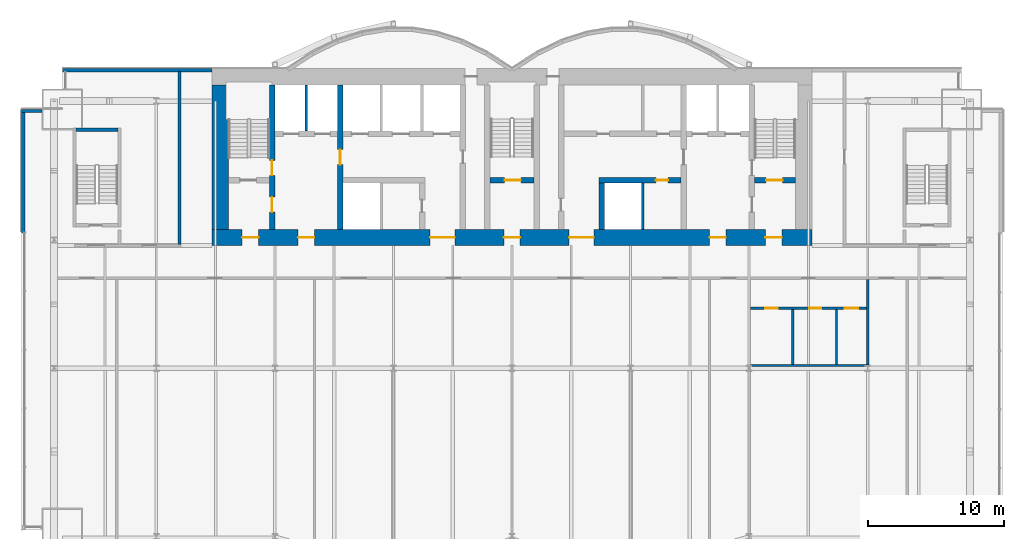
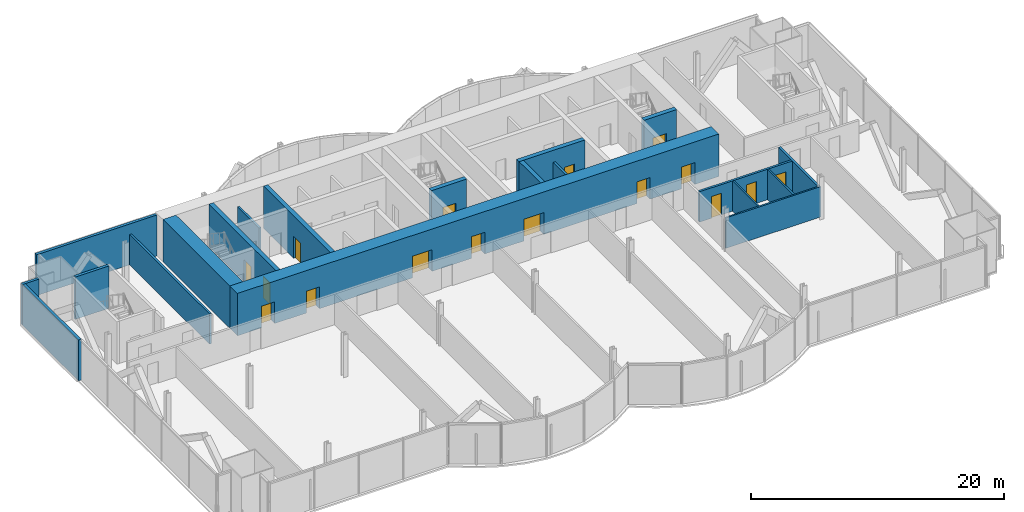
# One storey, part 16 of 21: 20 walls, 16 doors, 16 openings.
"""IFC4 building model written with IfcOpenShell, lengths in metres."""

from ifc_helpers import new_model, si_unit, direction, frame, frame_2d, origin, place, context, subcontext, project, spatial, rectangle, extrude, material, layer, layer_set, layer_usage, type_object, element, fill, save


model = new_model("IFC4")

# Units and contexts
model_context = context("Model", 3, precision=1e-05, world=origin(), true_north=direction((0.0, 1.0)))
body_context = subcontext(model_context, "Body", "Model", "MODEL_VIEW")
ifc_project = project(units=[si_unit("LENGTHUNIT", "METRE"), si_unit("AREAUNIT", "SQUARE_METRE"), si_unit("VOLUMEUNIT", "CUBIC_METRE"), si_unit("PLANEANGLEUNIT", "RADIAN"), si_unit("MASSUNIT", "GRAM", prefix="KILO")], contexts=[model_context])

# Site, building, storey
site_placement = place(None, origin())
site = spatial("IfcSite", under=ifc_project, at=site_placement, CompositionType="ELEMENT")
building_placement = place(site_placement, origin())
building = spatial("IfcBuilding", under=site, at=building_placement, Name="Bicima Exchange Tower", CompositionType="ELEMENT")
storey_placement = place(building_placement, frame((0.0, 0.0, 126.800048828125)))
storey = spatial("IfcBuildingStorey", under=building, at=storey_placement, Name="L27", CompositionType="ELEMENT", Elevation=126.800048828125)

# Walls
ifc_material_1 = material(Name="Gypsum board partition")
ifc_layer_1 = layer(ifc_material_1, 0.199951171875)
ifc_layer_set_1 = layer_set([ifc_layer_1], Name="Gypsum board partition")
wall_type_1 = type_object("IfcWallType", Name="Fire-rated gypsum partition 200 EI120", PredefinedType="PARTITIONING", material=ifc_layer_set_1)
for number, where, z_axis, x_axis, name in (
    (1, (-15.10009765625, -4.60009765625, 0.0), (0.0, 0.0, 1.0), (0.0, 1.0, 0.0), "partition wall 9"),
    (2, (9.60009765625, -11.800048828125, 0.0), (0.0, 0.0, 1.0), (0.0, 1.0, 0.0), "partition wall 20"),
):
    element("IfcWall", number, at=place(storey_placement, frame(where, z_axis=z_axis, x_axis=x_axis)), inside=storey, type_object=wall_type_1, Name=name, PredefinedType="PARTITIONING", context=body_context, shape_type="SweptSolid", body=[
        extrude(rectangle(XDim=3.400146484375, YDim=0.199951171875, at=frame_2d((1.7001953125, 0.0))), origin(), (0.0, 0.0, 1.0), 2.939453125),
    ])

# Wall, openings, doors
ifc_layer_2 = layer(ifc_material_1, 0.199951171875)
ifc_layer_set_2 = layer_set([ifc_layer_2], Name="Gypsum board partition")
wall_type_2 = type_object("IfcWallType", Name="Fire-rated gypsum partition 200 EI60", PredefinedType="PARTITIONING", material=ifc_layer_set_2)
wall_1_placement = place(storey_placement, frame((17.5, -17.60009765625, 0.0), z_axis=(0.0, 0.0, 1.0), x_axis=(1.0, 0.0, 0.0)))
wall_1 = element("IfcWall", 3, at=wall_1_placement, inside=storey, type_object=wall_type_2, Name="partition wall 2", PredefinedType="PARTITIONING", context=body_context, shape_type="SweptSolid", body=[
    extrude(rectangle(XDim=8.5, YDim=0.199951171875, at=frame_2d((4.25, 0.0))), origin(), (0.0, 0.0, 1.0), 2.939453125),
])
opening_1_placement = place(wall_1_placement, frame((1.10009765625, 0.0, 0.0)))
opening_1 = element("IfcOpeningElement", 4, at=opening_1_placement, cuts=wall_1, Name="Opening L27-015", PredefinedType="OPENING", context=body_context, shape_type="SweptSolid", body=[
    extrude(rectangle(XDim=0.89990234375, YDim=2.10009765625, at=frame_2d((0.449951171875, 1.050048828125))), frame((0.0, 0.11181640625, 0.0), z_axis=(0.0, -1.0, 0.0), x_axis=(1.0, 0.0, 0.0)), (0.0, 0.0, 1.0), 0.223876953125),
])
opening_2_placement = place(wall_1_placement, frame((4.300048828125, 0.0, 0.0)))
opening_2 = element("IfcOpeningElement", 5, at=opening_2_placement, cuts=wall_1, Name="Opening L27-016", PredefinedType="OPENING", context=body_context, shape_type="SweptSolid", body=[
    extrude(rectangle(XDim=0.89990234375, YDim=2.10009765625, at=frame_2d((0.449951171875, 1.050048828125))), frame((0.0, 0.11181640625, 0.0), z_axis=(0.0, -1.0, 0.0), x_axis=(1.0, 0.0, 0.0)), (0.0, 0.0, 1.0), 0.223876953125),
])
opening_3_placement = place(wall_1_placement, frame((6.89990234375, 0.0, 0.0)))
opening_3 = element("IfcOpeningElement", 6, at=opening_3_placement, cuts=wall_1, Name="Opening L27-017", PredefinedType="OPENING", context=body_context, shape_type="SweptSolid", body=[
    extrude(rectangle(XDim=1.0, YDim=2.10009765625, at=frame_2d((0.5, 1.050048828125))), frame((0.0, 0.11181640625, 0.0), z_axis=(0.0, -1.0, 0.0), x_axis=(1.0, 0.0, 0.0)), (0.0, 0.0, 1.0), 0.223876953125),
])
ifc_material_2 = material(Name="Steel fire door leaf", Category="steel")
door_type_1 = type_object("IfcDoorType", Name="Door 1000 swing FD30S", OperationType="SINGLE_SWING_LEFT", PredefinedType="DOOR", material=ifc_material_2)
door_1_placement = place(opening_3_placement, frame((1.0, 0.0, 0.0), z_axis=(0.0, 0.0, 1.0), x_axis=(-1.0, 0.0, 0.0)))
door_1 = element("IfcDoor", 7, at=door_1_placement, inside=storey, type_object=door_type_1, Name="Door", OperationType="SINGLE_SWING_RIGHT", OverallHeight=2.10009765625, OverallWidth=1.0, PredefinedType="DOOR", context=body_context, shape_type="SweptSolid", body=[
    extrude(rectangle(XDim=1.0, YDim=2.10009765625, at=frame_2d((0.5, 1.050048828125))), frame((0.0, 0.02490234375, 0.0), z_axis=(0.0, -1.0, 0.0), x_axis=(1.0, 0.0, 0.0)), (0.0, 0.0, 1.0), 0.050048828125),
])
fill(opening_3, door_1)
door_type_2 = type_object("IfcDoorType", Name="Door 900 swing FD30S", OperationType="SINGLE_SWING_LEFT", PredefinedType="DOOR", material=ifc_material_2)
door_2_placement = place(opening_1_placement, frame((0.89990234375, 0.0, 0.0), z_axis=(0.0, 0.0, 1.0), x_axis=(-1.0, 0.0, 0.0)))
door_2 = element("IfcDoor", 8, at=door_2_placement, inside=storey, type_object=door_type_2, Name="Door", OperationType="SINGLE_SWING_RIGHT", OverallHeight=2.10009765625, OverallWidth=0.89990234375, PredefinedType="DOOR", context=body_context, shape_type="SweptSolid", body=[
    extrude(rectangle(XDim=0.89990234375, YDim=2.10009765625, at=frame_2d((0.449951171875, 1.050048828125))), frame((0.0, 0.02490234375, 0.0), z_axis=(0.0, -1.0, 0.0), x_axis=(1.0, 0.0, 0.0)), (0.0, 0.0, 1.0), 0.050048828125),
])
fill(opening_1, door_2)
door_3_placement = place(opening_2_placement, frame((0.89990234375, 0.0, 0.0), z_axis=(0.0, 0.0, 1.0), x_axis=(-1.0, 0.0, 0.0)))
door_3 = element("IfcDoor", 9, at=door_3_placement, inside=storey, type_object=door_type_2, Name="Door", OperationType="SINGLE_SWING_LEFT", OverallHeight=2.10009765625, OverallWidth=0.89990234375, PredefinedType="DOOR", context=body_context, shape_type="SweptSolid", body=[
    extrude(rectangle(XDim=0.89990234375, YDim=2.10009765625, at=frame_2d((0.449951171875, 1.050048828125))), frame((0.0, 0.02490234375, 0.0), z_axis=(0.0, -1.0, 0.0), x_axis=(1.0, 0.0, 0.0)), (0.0, 0.0, 1.0), 0.050048828125),
])
fill(opening_2, door_3)

# Walls
wall_2_placement = place(storey_placement, frame((-24.39990234375, -12.89990234375, 0.0), z_axis=(0.0, 0.0, 1.0), x_axis=(0.0, 1.0, 0.0)))
element("IfcWall", 10, at=wall_2_placement, inside=storey, type_object=wall_type_2, Name="partition wall 15", PredefinedType="PARTITIONING", context=body_context, shape_type="SweptSolid", body=[
    extrude(rectangle(XDim=12.68994140625, YDim=0.199951171875, at=frame_2d((6.344970703125, 0.0))), origin(), (0.0, 0.0, 1.0), 2.939453125),
])
wall_3_placement = place(storey_placement, frame((26.10009765625, -21.72509765625, 0.0), z_axis=(0.0, 0.0, 1.0), x_axis=(0.0, 1.0, 0.0)))
element("IfcWall", 11, at=wall_3_placement, inside=storey, type_object=wall_type_2, Name="partition wall 30", PredefinedType="PARTITIONING", context=body_context, shape_type="SweptSolid", body=[
    extrude(rectangle(XDim=6.22509765625, YDim=0.199951171875, at=frame_2d((3.112548828125, 0.0))), origin(), (0.0, 0.0, 1.0), 2.939453125),
])
ifc_layer_3 = layer(ifc_material_1, 0.14990234375)
ifc_layer_set_3 = layer_set([ifc_layer_3], Name="Gypsum board partition")
wall_type_3 = type_object("IfcWallType", Name="Gypsum partition 150", PredefinedType="PARTITIONING", material=ifc_layer_set_3)
wall_4_placement = place(storey_placement, frame((17.5, -21.800048828125, 0.0), z_axis=(0.0, 0.0, 1.0), x_axis=(1.0, 0.0, 0.0)))
element("IfcWall", 12, at=wall_4_placement, inside=storey, type_object=wall_type_3, Name="partition wall 1", PredefinedType="PARTITIONING", context=body_context, shape_type="SweptSolid", body=[
    extrude(rectangle(XDim=8.699951171875, YDim=0.14990234375, at=frame_2d((4.35009765625, 0.0))), origin(), (0.0, 0.0, 1.0), 2.939453125),
])
for number, where, z_axis, x_axis, name in (
    (13, (20.60009765625, -21.72509765625, 0.0), (0.0, 0.0, 1.0), (0.0, 1.0, 0.0), "partition wall 27"),
    (14, (23.800048828125, -21.72509765625, 0.0), (0.0, 0.0, 1.0), (0.0, 1.0, 0.0), "partition wall 28"),
):
    element("IfcWall", number, at=place(storey_placement, frame(where, z_axis=z_axis, x_axis=x_axis)), inside=storey, type_object=wall_type_3, Name=name, PredefinedType="PARTITIONING", context=body_context, shape_type="SweptSolid", body=[
        extrude(rectangle(XDim=4.025146484375, YDim=0.14990234375, at=frame_2d((2.0126953125, 0.0))), origin(), (0.0, 0.0, 1.0), 2.939453125),
    ])

# Wall, openings, doors
ifc_material_3 = material(Name="Concrete C60/75", Category="concrete")
ifc_layer_4 = layer(ifc_material_3, 1.199951171875)
ifc_layer_set_4 = layer_set([ifc_layer_4], Name="Concrete C60/75")
wall_type_4 = type_object("IfcWallType", Name="RC core wall 1200 C60/75", PredefinedType="SHEAR", material=ifc_layer_set_4)
wall_5_placement = place(storey_placement, frame((-22.0, -12.39990234375, 0.0), z_axis=(0.0, 0.0, 1.0), x_axis=(1.0, 0.0, 0.0)))
wall_5 = element("IfcWall", 15, at=wall_5_placement, inside=storey, type_object=wall_type_4, Name="Core wall south", PredefinedType="SHEAR", context=body_context, shape_type="SweptSolid", body=[
    extrude(rectangle(XDim=44.0, YDim=1.199951171875, at=frame_2d((22.0, 0.0))), origin(), (0.0, 0.0, 1.0), 4.099853515625),
])
opening_4_placement = place(wall_5_placement, frame((2.199951171875, 0.0, 0.0)))
opening_4 = element("IfcOpeningElement", 16, at=opening_4_placement, cuts=wall_5, Name="Opening L27-C18", PredefinedType="OPENING", context=body_context, shape_type="SweptSolid", body=[
    extrude(rectangle(XDim=1.199951171875, YDim=2.10009765625, at=frame_2d((0.60009765625, 1.050048828125))), frame((0.0, 0.61181640625, 0.0), z_axis=(0.0, -1.0, 0.0), x_axis=(1.0, 0.0, 0.0)), (0.0, 0.0, 1.0), 1.223876953125),
])
opening_5_placement = place(wall_5_placement, frame((21.39990234375, 0.0, 0.0)))
opening_5 = element("IfcOpeningElement", 17, at=opening_5_placement, cuts=wall_5, Name="Opening L27-C19", PredefinedType="OPENING", context=body_context, shape_type="SweptSolid", body=[
    extrude(rectangle(XDim=1.199951171875, YDim=2.10009765625, at=frame_2d((0.60009765625, 1.050048828125))), frame((0.0, 0.61181640625, 0.0), z_axis=(0.0, -1.0, 0.0), x_axis=(1.0, 0.0, 0.0)), (0.0, 0.0, 1.0), 1.223876953125),
])
opening_6_placement = place(wall_5_placement, frame((40.60009765625, 0.0, 0.0)))
opening_6 = element("IfcOpeningElement", 18, at=opening_6_placement, cuts=wall_5, Name="Opening L27-C20", PredefinedType="OPENING", context=body_context, shape_type="SweptSolid", body=[
    extrude(rectangle(XDim=1.199951171875, YDim=2.10009765625, at=frame_2d((0.60009765625, 1.050048828125))), frame((0.0, 0.61181640625, 0.0), z_axis=(0.0, -1.0, 0.0), x_axis=(1.0, 0.0, 0.0)), (0.0, 0.0, 1.0), 1.223876953125),
])
opening_7_placement = place(wall_5_placement, frame((16.0, 0.0, 0.0)))
opening_7 = element("IfcOpeningElement", 19, at=opening_7_placement, cuts=wall_5, Name="Opening L27-C21", PredefinedType="OPENING", context=body_context, shape_type="SweptSolid", body=[
    extrude(rectangle(XDim=1.800048828125, YDim=2.10009765625, at=frame_2d((0.89990234375, 1.050048828125))), frame((0.0, 0.61181640625, 0.0), z_axis=(0.0, -1.0, 0.0), x_axis=(1.0, 0.0, 0.0)), (0.0, 0.0, 1.0), 1.223876953125),
])
opening_8_placement = place(wall_5_placement, frame((6.300048828125, 0.0, 0.0)))
opening_8 = element("IfcOpeningElement", 20, at=opening_8_placement, cuts=wall_5, Name="Opening L27-C22", PredefinedType="OPENING", context=body_context, shape_type="SweptSolid", body=[
    extrude(rectangle(XDim=1.199951171875, YDim=2.10009765625, at=frame_2d((0.60009765625, 1.050048828125))), frame((0.0, 0.61181640625, 0.0), z_axis=(0.0, -1.0, 0.0), x_axis=(1.0, 0.0, 0.0)), (0.0, 0.0, 1.0), 1.223876953125),
])
opening_9_placement = place(wall_5_placement, frame((26.199951171875, 0.0, 0.0)))
opening_9 = element("IfcOpeningElement", 21, at=opening_9_placement, cuts=wall_5, Name="Opening L27-C23", PredefinedType="OPENING", context=body_context, shape_type="SweptSolid", body=[
    extrude(rectangle(XDim=1.800048828125, YDim=2.10009765625, at=frame_2d((0.89990234375, 1.050048828125))), frame((0.0, 0.61181640625, 0.0), z_axis=(0.0, -1.0, 0.0), x_axis=(1.0, 0.0, 0.0)), (0.0, 0.0, 1.0), 1.223876953125),
])
opening_10_placement = place(wall_5_placement, frame((36.5, 0.0, 0.0)))
opening_10 = element("IfcOpeningElement", 22, at=opening_10_placement, cuts=wall_5, Name="Opening L27-C24", PredefinedType="OPENING", context=body_context, shape_type="SweptSolid", body=[
    extrude(rectangle(XDim=1.199951171875, YDim=2.10009765625, at=frame_2d((0.60009765625, 1.050048828125))), frame((0.0, 0.61181640625, 0.0), z_axis=(0.0, -1.0, 0.0), x_axis=(1.0, 0.0, 0.0)), (0.0, 0.0, 1.0), 1.223876953125),
])
door_type_3 = type_object("IfcDoorType", Name="Door 1200 swing FD60S", OperationType="SINGLE_SWING_LEFT", PredefinedType="DOOR", material=ifc_material_2)
door_4_placement = place(opening_4_placement, frame((1.199951171875, 0.0, 0.0), z_axis=(0.0, 0.0, 1.0), x_axis=(-1.0, 0.0, 0.0)))
door_4 = element("IfcDoor", 23, at=door_4_placement, inside=storey, type_object=door_type_3, Name="Core door", OperationType="SINGLE_SWING_RIGHT", OverallHeight=2.10009765625, OverallWidth=1.199951171875, PredefinedType="DOOR", context=body_context, shape_type="SweptSolid", body=[
    extrude(rectangle(XDim=1.199951171875, YDim=2.10009765625, at=frame_2d((0.60009765625, 1.050048828125))), frame((0.0, 0.02490234375, 0.0), z_axis=(0.0, -1.0, 0.0), x_axis=(1.0, 0.0, 0.0)), (0.0, 0.0, 1.0), 0.050048828125),
])
fill(opening_4, door_4)
door_5_placement = place(opening_5_placement, frame((1.199951171875, 0.0, 0.0), z_axis=(0.0, 0.0, 1.0), x_axis=(-1.0, 0.0, 0.0)))
door_5 = element("IfcDoor", 24, at=door_5_placement, inside=storey, type_object=door_type_3, Name="Core door", OperationType="SINGLE_SWING_RIGHT", OverallHeight=2.10009765625, OverallWidth=1.199951171875, PredefinedType="DOOR", context=body_context, shape_type="SweptSolid", body=[
    extrude(rectangle(XDim=1.199951171875, YDim=2.10009765625, at=frame_2d((0.60009765625, 1.050048828125))), frame((0.0, 0.02490234375, 0.0), z_axis=(0.0, -1.0, 0.0), x_axis=(1.0, 0.0, 0.0)), (0.0, 0.0, 1.0), 0.050048828125),
])
fill(opening_5, door_5)
door_6_placement = place(opening_6_placement, frame((1.199951171875, 0.0, 0.0), z_axis=(0.0, 0.0, 1.0), x_axis=(-1.0, 0.0, 0.0)))
door_6 = element("IfcDoor", 25, at=door_6_placement, inside=storey, type_object=door_type_3, Name="Core door", OperationType="SINGLE_SWING_RIGHT", OverallHeight=2.10009765625, OverallWidth=1.199951171875, PredefinedType="DOOR", context=body_context, shape_type="SweptSolid", body=[
    extrude(rectangle(XDim=1.199951171875, YDim=2.10009765625, at=frame_2d((0.60009765625, 1.050048828125))), frame((0.0, 0.02490234375, 0.0), z_axis=(0.0, -1.0, 0.0), x_axis=(1.0, 0.0, 0.0)), (0.0, 0.0, 1.0), 0.050048828125),
])
fill(opening_6, door_6)
door_7_placement = place(opening_8_placement, frame((1.199951171875, 0.0, 0.0), z_axis=(0.0, 0.0, 1.0), x_axis=(-1.0, 0.0, 0.0)))
door_7 = element("IfcDoor", 26, at=door_7_placement, inside=storey, type_object=door_type_3, Name="Core door", OperationType="SINGLE_SWING_RIGHT", OverallHeight=2.10009765625, OverallWidth=1.199951171875, PredefinedType="DOOR", context=body_context, shape_type="SweptSolid", body=[
    extrude(rectangle(XDim=1.199951171875, YDim=2.10009765625, at=frame_2d((0.60009765625, 1.050048828125))), frame((0.0, 0.02490234375, 0.0), z_axis=(0.0, -1.0, 0.0), x_axis=(1.0, 0.0, 0.0)), (0.0, 0.0, 1.0), 0.050048828125),
])
fill(opening_8, door_7)
door_8_placement = place(opening_10_placement, frame((1.199951171875, 0.0, 0.0), z_axis=(0.0, 0.0, 1.0), x_axis=(-1.0, 0.0, 0.0)))
door_8 = element("IfcDoor", 27, at=door_8_placement, inside=storey, type_object=door_type_3, Name="Core door", OperationType="SINGLE_SWING_RIGHT", OverallHeight=2.10009765625, OverallWidth=1.199951171875, PredefinedType="DOOR", context=body_context, shape_type="SweptSolid", body=[
    extrude(rectangle(XDim=1.199951171875, YDim=2.10009765625, at=frame_2d((0.60009765625, 1.050048828125))), frame((0.0, 0.02490234375, 0.0), z_axis=(0.0, -1.0, 0.0), x_axis=(1.0, 0.0, 0.0)), (0.0, 0.0, 1.0), 0.050048828125),
])
fill(opening_10, door_8)
door_type_4 = type_object("IfcDoorType", Name="Door 1800 double swing FD30S", OperationType="DOUBLE_DOOR_SINGLE_SWING", PredefinedType="DOOR", material=ifc_material_2)
door_9_placement = place(opening_7_placement, origin())
door_9 = element("IfcDoor", 28, at=door_9_placement, inside=storey, type_object=door_type_4, Name="Core door", OperationType="SINGLE_SWING_LEFT", OverallHeight=2.10009765625, OverallWidth=1.800048828125, PredefinedType="DOOR", context=body_context, shape_type="SweptSolid", body=[
    extrude(rectangle(XDim=1.800048828125, YDim=2.10009765625, at=frame_2d((0.89990234375, 1.050048828125))), frame((0.0, 0.02490234375, 0.0), z_axis=(0.0, -1.0, 0.0), x_axis=(1.0, 0.0, 0.0)), (0.0, 0.0, 1.0), 0.050048828125),
])
fill(opening_7, door_9)
door_10_placement = place(opening_9_placement, origin())
door_10 = element("IfcDoor", 29, at=door_10_placement, inside=storey, type_object=door_type_4, Name="Core door", OperationType="SINGLE_SWING_LEFT", OverallHeight=2.10009765625, OverallWidth=1.800048828125, PredefinedType="DOOR", context=body_context, shape_type="SweptSolid", body=[
    extrude(rectangle(XDim=1.800048828125, YDim=2.10009765625, at=frame_2d((0.89990234375, 1.050048828125))), frame((0.0, 0.02490234375, 0.0), z_axis=(0.0, -1.0, 0.0), x_axis=(1.0, 0.0, 0.0)), (0.0, 0.0, 1.0), 0.050048828125),
])
fill(opening_9, door_10)

# Wall
wall_6_placement = place(storey_placement, frame((-21.39990234375, -11.800048828125, 0.0), z_axis=(0.0, 0.0, 1.0), x_axis=(0.0, 1.0, 0.0)))
element("IfcWall", 30, at=wall_6_placement, inside=storey, type_object=wall_type_4, Name="Core wall west", PredefinedType="SHEAR", context=body_context, shape_type="SweptSolid", body=[
    extrude(rectangle(XDim=10.60009765625, YDim=1.199951171875, at=frame_2d((5.300048828125, 0.0))), origin(), (0.0, 0.0, 1.0), 4.099853515625),
])

# Wall, opening, door
ifc_material_4 = material(Name="Concrete C50/60", Category="concrete")
ifc_layer_5 = layer(ifc_material_4, 0.39990234375)
ifc_layer_set_5 = layer_set([ifc_layer_5], Name="Concrete C50/60")
wall_type_5 = type_object("IfcWallType", Name="RC core wall 400 C50/60", PredefinedType="SHEAR", material=ifc_layer_set_5)
wall_7_placement = place(storey_placement, frame((-1.60009765625, -8.199951171875, 0.0), z_axis=(0.0, 0.0, 1.0), x_axis=(1.0, 0.0, 0.0)))
wall_7 = element("IfcWall", 31, at=wall_7_placement, inside=storey, type_object=wall_type_5, Name="stair wall 3", PredefinedType="SHEAR", context=body_context, shape_type="SweptSolid", body=[
    extrude(rectangle(XDim=3.2001953125, YDim=0.39990234375, at=frame_2d((1.60009765625, 0.0))), origin(), (0.0, 0.0, 1.0), 4.099853515625),
])
opening_11_placement = place(wall_7_placement, frame((1.050048828125, 0.0, 0.0)))
opening_11 = element("IfcOpeningElement", 32, at=opening_11_placement, cuts=wall_7, Name="Opening L27-C03", PredefinedType="OPENING", context=body_context, shape_type="SweptSolid", body=[
    extrude(rectangle(XDim=1.199951171875, YDim=2.10009765625, at=frame_2d((0.60009765625, 1.050048828125))), frame((0.0, 0.2119140625, 0.0), z_axis=(0.0, -1.0, 0.0), x_axis=(1.0, 0.0, 0.0)), (0.0, 0.0, 1.0), 0.423828125),
])
door_11_placement = place(opening_11_placement, origin())
door_11 = element("IfcDoor", 33, at=door_11_placement, inside=storey, type_object=door_type_3, Name="Core door", OperationType="SINGLE_SWING_LEFT", OverallHeight=2.10009765625, OverallWidth=1.199951171875, PredefinedType="DOOR", context=body_context, shape_type="SweptSolid", body=[
    extrude(rectangle(XDim=1.199951171875, YDim=2.10009765625, at=frame_2d((0.60009765625, 1.050048828125))), frame((0.0, 0.02490234375, 0.0), z_axis=(0.0, -1.0, 0.0), x_axis=(1.0, 0.0, 0.0)), (0.0, 0.0, 1.0), 0.050048828125),
])
fill(opening_11, door_11)

wall_8_placement = place(storey_placement, frame((17.800048828125, -8.199951171875, 0.0), z_axis=(0.0, 0.0, 1.0), x_axis=(1.0, 0.0, 0.0)))
wall_8 = element("IfcWall", 34, at=wall_8_placement, inside=storey, type_object=wall_type_5, Name="stair wall 5", PredefinedType="SHEAR", context=body_context, shape_type="SweptSolid", body=[
    extrude(rectangle(XDim=3.0, YDim=0.39990234375, at=frame_2d((1.5, 0.0))), origin(), (0.0, 0.0, 1.0), 4.099853515625),
])
opening_12_placement = place(wall_8_placement, frame((0.85009765625, 0.0, 0.0)))
opening_12 = element("IfcOpeningElement", 35, at=opening_12_placement, cuts=wall_8, Name="Opening L27-C04", PredefinedType="OPENING", context=body_context, shape_type="SweptSolid", body=[
    extrude(rectangle(XDim=1.199951171875, YDim=2.10009765625, at=frame_2d((0.60009765625, 1.050048828125))), frame((0.0, 0.2119140625, 0.0), z_axis=(0.0, -1.0, 0.0), x_axis=(1.0, 0.0, 0.0)), (0.0, 0.0, 1.0), 0.423828125),
])
door_12_placement = place(opening_12_placement, origin())
door_12 = element("IfcDoor", 36, at=door_12_placement, inside=storey, type_object=door_type_3, Name="Core door", OperationType="SINGLE_SWING_RIGHT", OverallHeight=2.10009765625, OverallWidth=1.199951171875, PredefinedType="DOOR", context=body_context, shape_type="SweptSolid", body=[
    extrude(rectangle(XDim=1.199951171875, YDim=2.10009765625, at=frame_2d((0.60009765625, 1.050048828125))), frame((0.0, 0.02490234375, 0.0), z_axis=(0.0, -1.0, 0.0), x_axis=(1.0, 0.0, 0.0)), (0.0, 0.0, 1.0), 0.050048828125),
])
fill(opening_12, door_12)

# Wall, openings, doors
wall_9_placement = place(storey_placement, frame((-17.60009765625, -11.800048828125, 0.0), z_axis=(0.0, 0.0, 1.0), x_axis=(0.0, 1.0, 0.0)))
wall_9 = element("IfcWall", 37, at=wall_9_placement, inside=storey, type_object=wall_type_5, Name="stair wall 8", PredefinedType="SHEAR", context=body_context, shape_type="SweptSolid", body=[
    extrude(rectangle(XDim=10.60009765625, YDim=0.39990234375, at=frame_2d((5.300048828125, 0.0))), origin(), (0.0, 0.0, 1.0), 4.099853515625),
])
opening_13_placement = place(wall_9_placement, frame((1.25, 0.0, 0.0)))
opening_13 = element("IfcOpeningElement", 38, at=opening_13_placement, cuts=wall_9, Name="Opening L27-C02", PredefinedType="OPENING", context=body_context, shape_type="SweptSolid", body=[
    extrude(rectangle(XDim=1.10009765625, YDim=2.10009765625, at=frame_2d((0.550048828125, 1.050048828125))), frame((0.0, 0.2119140625, 0.0), z_axis=(0.0, -1.0, 0.0), x_axis=(1.0, 0.0, 0.0)), (0.0, 0.0, 1.0), 0.423828125),
])
opening_14_placement = place(wall_9_placement, frame((3.949951171875, 0.0, 0.0)))
opening_14 = element("IfcOpeningElement", 39, at=opening_14_placement, cuts=wall_9, Name="Opening L27-C06", PredefinedType="OPENING", context=body_context, shape_type="SweptSolid", body=[
    extrude(rectangle(XDim=1.10009765625, YDim=2.10009765625, at=frame_2d((0.550048828125, 1.050048828125))), frame((0.0, 0.2119140625, 0.0), z_axis=(0.0, -1.0, 0.0), x_axis=(1.0, 0.0, 0.0)), (0.0, 0.0, 1.0), 0.423828125),
])
door_type_5 = type_object("IfcDoorType", Name="Door 1100 swing FD60S", OperationType="SINGLE_SWING_LEFT", PredefinedType="DOOR", material=ifc_material_2)
door_13_placement = place(opening_13_placement, frame((1.10009765625, 0.0, 0.0), z_axis=(0.0, 0.0, 1.0), x_axis=(-1.0, 0.0, 0.0)))
door_13 = element("IfcDoor", 40, at=door_13_placement, inside=storey, type_object=door_type_5, Name="Core door", OperationType="SINGLE_SWING_LEFT", OverallHeight=2.10009765625, OverallWidth=1.10009765625, PredefinedType="DOOR", context=body_context, shape_type="SweptSolid", body=[
    extrude(rectangle(XDim=1.10009765625, YDim=2.10009765625, at=frame_2d((0.550048828125, 1.050048828125))), frame((0.0, 0.02490234375, 0.0), z_axis=(0.0, -1.0, 0.0), x_axis=(1.0, 0.0, 0.0)), (0.0, 0.0, 1.0), 0.050048828125),
])
fill(opening_13, door_13)
door_14_placement = place(opening_14_placement, frame((1.10009765625, 0.0, 0.0), z_axis=(0.0, 0.0, 1.0), x_axis=(-1.0, 0.0, 0.0)))
door_14 = element("IfcDoor", 41, at=door_14_placement, inside=storey, type_object=door_type_5, Name="Core door", OperationType="SINGLE_SWING_LEFT", OverallHeight=2.10009765625, OverallWidth=1.10009765625, PredefinedType="DOOR", context=body_context, shape_type="SweptSolid", body=[
    extrude(rectangle(XDim=1.10009765625, YDim=2.10009765625, at=frame_2d((0.550048828125, 1.050048828125))), frame((0.0, 0.02490234375, 0.0), z_axis=(0.0, -1.0, 0.0), x_axis=(1.0, 0.0, 0.0)), (0.0, 0.0, 1.0), 0.050048828125),
])
fill(opening_14, door_14)

# Wall, opening, door
ifc_layer_6 = layer(ifc_material_3, 0.39990234375)
ifc_layer_set_6 = layer_set([ifc_layer_6], Name="Concrete C60/75")
wall_type_6 = type_object("IfcWallType", Name="RC core wall 400 C60/75", PredefinedType="SHEAR", material=ifc_layer_set_6)
wall_10_placement = place(storey_placement, frame((6.39990234375, -8.199951171875, 0.0), z_axis=(0.0, 0.0, 1.0), x_axis=(1.0, 0.0, 0.0)))
wall_10 = element("IfcWall", 42, at=wall_10_placement, inside=storey, type_object=wall_type_6, Name="shear wall 4", PredefinedType="SHEAR", context=body_context, shape_type="SweptSolid", body=[
    extrude(rectangle(XDim=6.0, YDim=0.39990234375, at=frame_2d((3.0, 0.0))), origin(), (0.0, 0.0, 1.0), 4.099853515625),
])
opening_15_placement = place(wall_10_placement, frame((4.14990234375, 0.0, 0.0)))
opening_15 = element("IfcOpeningElement", 43, at=opening_15_placement, cuts=wall_10, Name="Opening L27-C15", PredefinedType="OPENING", context=body_context, shape_type="SweptSolid", body=[
    extrude(rectangle(XDim=0.89990234375, YDim=2.10009765625, at=frame_2d((0.449951171875, 1.050048828125))), frame((0.0, 0.2119140625, 0.0), z_axis=(0.0, -1.0, 0.0), x_axis=(1.0, 0.0, 0.0)), (0.0, 0.0, 1.0), 0.423828125),
])
door_15_placement = place(opening_15_placement, frame((0.89990234375, 0.0, 0.0), z_axis=(0.0, 0.0, 1.0), x_axis=(-1.0, 0.0, 0.0)))
door_15 = element("IfcDoor", 44, at=door_15_placement, inside=storey, type_object=door_type_2, Name="Core door", OperationType="SINGLE_SWING_RIGHT", OverallHeight=2.10009765625, OverallWidth=0.89990234375, PredefinedType="DOOR", context=body_context, shape_type="SweptSolid", body=[
    extrude(rectangle(XDim=0.89990234375, YDim=2.10009765625, at=frame_2d((0.449951171875, 1.050048828125))), frame((0.0, 0.02490234375, 0.0), z_axis=(0.0, -1.0, 0.0), x_axis=(1.0, 0.0, 0.0)), (0.0, 0.0, 1.0), 0.050048828125),
])
fill(opening_15, door_15)

wall_11_placement = place(storey_placement, frame((-12.60009765625, -11.800048828125, 0.0), z_axis=(0.0, 0.0, 1.0), x_axis=(0.0, 1.0, 0.0)))
wall_11 = element("IfcWall", 45, at=wall_11_placement, inside=storey, type_object=wall_type_6, Name="shear wall 10", PredefinedType="SHEAR", context=body_context, shape_type="SweptSolid", body=[
    extrude(rectangle(XDim=10.60009765625, YDim=0.39990234375, at=frame_2d((5.300048828125, 0.0))), origin(), (0.0, 0.0, 1.0), 4.099853515625),
])
opening_16_placement = place(wall_11_placement, frame((4.75, 0.0, 0.0)))
opening_16 = element("IfcOpeningElement", 46, at=opening_16_placement, cuts=wall_11, Name="Opening L27-C07", PredefinedType="OPENING", context=body_context, shape_type="SweptSolid", body=[
    extrude(rectangle(XDim=1.10009765625, YDim=2.10009765625, at=frame_2d((0.550048828125, 1.050048828125))), frame((0.0, 0.2119140625, 0.0), z_axis=(0.0, -1.0, 0.0), x_axis=(1.0, 0.0, 0.0)), (0.0, 0.0, 1.0), 0.423828125),
])
door_16_placement = place(opening_16_placement, origin())
door_16 = element("IfcDoor", 47, at=door_16_placement, inside=storey, type_object=door_type_5, Name="Core door", OperationType="SINGLE_SWING_LEFT", OverallHeight=2.10009765625, OverallWidth=1.10009765625, PredefinedType="DOOR", context=body_context, shape_type="SweptSolid", body=[
    extrude(rectangle(XDim=1.10009765625, YDim=2.10009765625, at=frame_2d((0.550048828125, 1.050048828125))), frame((0.0, 0.02490234375, 0.0), z_axis=(0.0, -1.0, 0.0), x_axis=(1.0, 0.0, 0.0)), (0.0, 0.0, 1.0), 0.050048828125),
])
fill(opening_16, door_16)

# Walls
wall_12_placement = place(storey_placement, frame((6.60009765625, -11.800048828125, 0.0), z_axis=(0.0, 0.0, 1.0), x_axis=(0.0, 1.0, 0.0)))
element("IfcWall", 48, at=wall_12_placement, inside=storey, type_object=wall_type_6, Name="shear wall 19", PredefinedType="SHEAR", context=body_context, shape_type="SweptSolid", body=[
    extrude(rectangle(XDim=3.400146484375, YDim=0.39990234375, at=frame_2d((1.7001953125, 0.0))), origin(), (0.0, 0.0, 1.0), 4.099853515625),
])
ifc_layer_7 = layer(ifc_material_4, 0.25)
ifc_layer_set_7 = layer_set([ifc_layer_7], Name="Concrete C50/60")
wall_type_7 = type_object("IfcWallType", Name="RC stair enclosure wall 250 C50/60", PredefinedType="SHEAR", material=ifc_layer_set_7)
wall_13_placement = place(storey_placement, frame((-31.97509765625, -4.5, 0.0), z_axis=(0.0, 0.0, 1.0), x_axis=(1.0, 0.0, 0.0)))
element("IfcWall", 49, at=wall_13_placement, inside=storey, type_object=wall_type_7, Name="West end exit stair wall N", PredefinedType="SHEAR", context=body_context, shape_type="SweptSolid", body=[
    extrude(rectangle(XDim=3.050048828125, YDim=0.25, at=frame_2d((1.52490234375, 0.0))), origin(), (0.0, 0.0, 1.0), 4.099853515625),
])
ifc_material_5 = material(Name="Concrete C40/50", Category="concrete")
ifc_layer_8 = layer(ifc_material_5, 0.25)
ifc_layer_set_8 = layer_set([ifc_layer_8], Name="Concrete C40/50")
ifc_layer_usage = layer_usage(ifc_layer_set_8, "AXIS2", "POSITIVE", -0.125)
wall_type_8 = type_object("IfcWallType", Name="Rear backup wall 250", PredefinedType="STANDARD", material=ifc_layer_set_8)
wall_14_placement = place(storey_placement, frame((-22.0, -0.125, 0.0), z_axis=(0.0, 0.0, 1.0), x_axis=(-1.0, 0.0, 0.0)))
element("IfcWall", 50, at=wall_14_placement, inside=storey, type_object=wall_type_8, material=ifc_layer_usage, Name="Rear backup wall L27 20", PredefinedType="STANDARD", context=body_context, shape_type="SweptSolid", body=[
    extrude(rectangle(XDim=11.0, YDim=0.25, at=frame_2d((5.5, 0.0))), origin(), (0.0, 0.0, 1.0), 3.949951171875),
])
wall_15_placement = place(storey_placement, frame((-34.5, -3.125, 0.0), z_axis=(0.0, 0.0, 1.0), x_axis=(-1.0, 0.0, 0.0)))
element("IfcWall", 51, at=wall_15_placement, inside=storey, type_object=wall_type_8, material=ifc_layer_usage, Name="Rear backup wall L27 22", PredefinedType="STANDARD", context=body_context, shape_type="SweptSolid", body=[
    extrude(rectangle(XDim=1.5, YDim=0.25, at=frame_2d((0.75, 0.0))), origin(), (0.0, 0.0, 1.0), 3.949951171875),
])
wall_16_placement = place(storey_placement, frame((-35.875, -3.0, 0.0), z_axis=(0.0, 0.0, 1.0), x_axis=(0.0, -1.0, 0.0)))
element("IfcWall", 52, at=wall_16_placement, inside=storey, type_object=wall_type_8, material=ifc_layer_usage, Name="Rear backup wall L27 23", PredefinedType="STANDARD", context=body_context, shape_type="SweptSolid", body=[
    extrude(rectangle(XDim=9.090087890625, YDim=0.25, at=frame_2d((4.544921875, 0.0))), origin(), (0.0, 0.0, 1.0), 3.949951171875),
])

save(model, "model.ifc")
